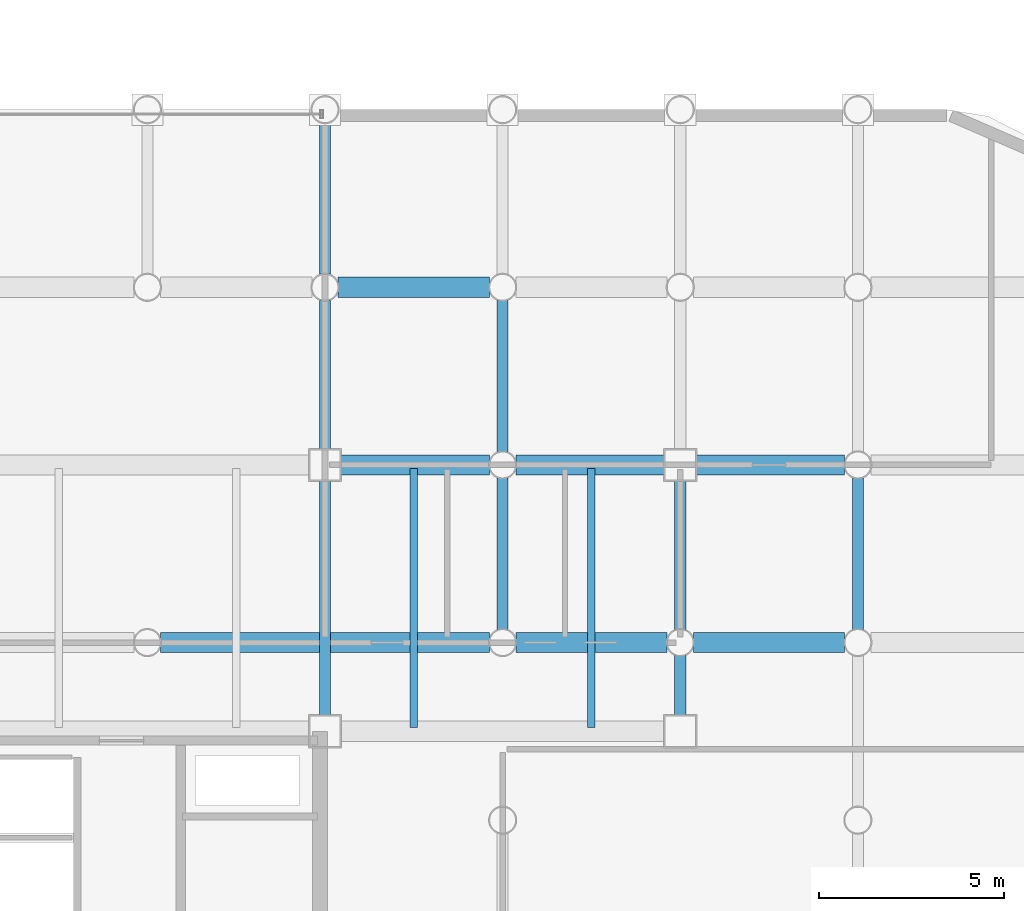
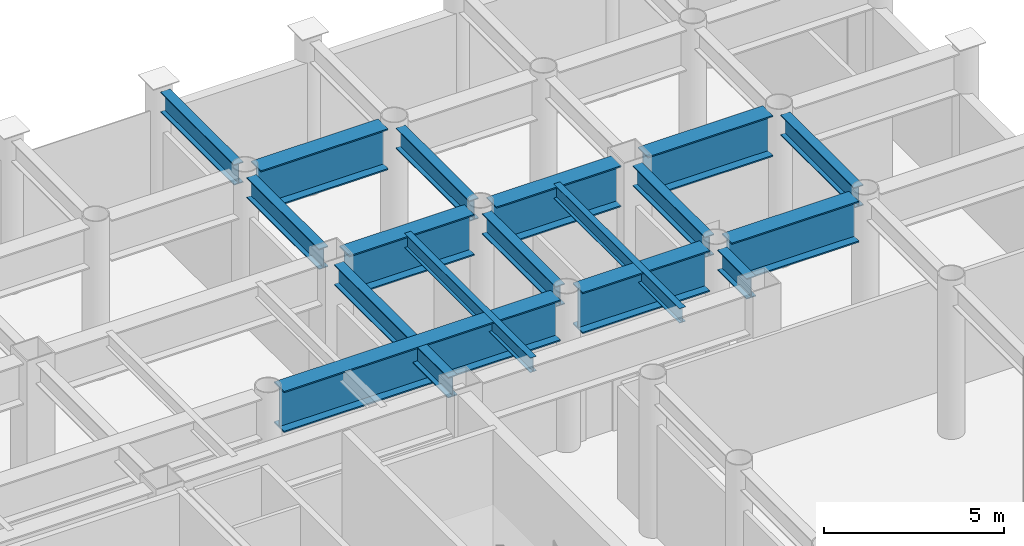
# One storey, part 11 of 20: 17 beams.
"""IFC4 building model written with IfcOpenShell, lengths in metres."""

from ifc_helpers import new_model, si_unit, direction, frame, origin, origin_2d, place, context, subcontext, project, spatial, i_section, extrude, material, material_profile, profile_set, type_object, element, save


model = new_model("IFC4")

# Units and contexts
model_context = context("Model", 3, precision=1e-05, world=origin(), true_north=direction((0.0, 1.0)))
body_context = subcontext(model_context, "Body", "Model", "MODEL_VIEW")
ifc_project = project(units=[si_unit("LENGTHUNIT", "METRE"), si_unit("AREAUNIT", "SQUARE_METRE"), si_unit("VOLUMEUNIT", "CUBIC_METRE"), si_unit("PLANEANGLEUNIT", "RADIAN"), si_unit("MASSUNIT", "GRAM", prefix="KILO")], contexts=[model_context])

# Site, building, storey
site_placement = place(None, origin())
site = spatial("IfcSite", under=ifc_project, at=site_placement, CompositionType="ELEMENT")
building_placement = place(site_placement, origin())
building = spatial("IfcBuilding", under=site, at=building_placement, Name="Kallvorn Hotel Tower", CompositionType="ELEMENT")
storey_placement = place(building_placement, frame((0.0, 0.0, 24.60009765625)))
storey = spatial("IfcBuildingStorey", under=building, at=storey_placement, Name="L04", CompositionType="ELEMENT", Elevation=24.60009765625)

# Beams
ifc_material_1 = material(Name="Structural steel S355JR", Category="steel")
ifc_material_profile_1 = material_profile(ifc_material_1, i_section(OverallWidth=0.300048828125, OverallDepth=0.699951171875, WebThickness=0.01708984375, FlangeThickness=0.031982421875, at=origin_2d()), Name="HE 700 B")
ifc_profile_set_1 = profile_set([ifc_material_profile_1], Name="Structural steel S355JR")
beam_type_1 = type_object("IfcBeamType", Name="BM_HE700B", PredefinedType="BEAM", material=ifc_profile_set_1)
beam_1_placement = place(storey_placement, frame((14.39990234375, 7.625, 4.869873046875), z_axis=(0.0, 1.0, 0.0), x_axis=(-1.0, 0.0, 0.0)))
element("IfcBeam", 1, at=beam_1_placement, inside=storey, type_object=beam_type_1, Name="L05 Primary Y-Girder 149", PredefinedType="BEAM", context=body_context, shape_type="SweptSolid", body=[
    extrude(i_section(OverallWidth=0.300048828125, OverallDepth=0.699951171875, WebThickness=0.01708984375, FlangeThickness=0.031982421875, at=origin_2d()), origin(), (0.0, 0.0, 1.0), 6.35009765625),
])
beam_2_placement = place(storey_placement, frame((14.39990234375, 14.824951171875, 4.869873046875), z_axis=(0.0, 1.0, 0.0), x_axis=(-1.0, 0.0, 0.0)))
element("IfcBeam", 2, at=beam_2_placement, inside=storey, type_object=beam_type_1, Name="L05 Primary Y-Girder 150", PredefinedType="BEAM", context=body_context, shape_type="SweptSolid", body=[
    extrude(i_section(OverallWidth=0.300048828125, OverallDepth=0.699951171875, WebThickness=0.01708984375, FlangeThickness=0.031982421875, at=origin_2d()), origin(), (0.0, 0.0, 1.0), 4.01904296875),
])
beam_3_placement = place(storey_placement, frame((14.39990234375, 19.555908203125, 4.869873046875), z_axis=(0.0, 1.0, 0.0), x_axis=(-1.0, 0.0, 0.0)))
element("IfcBeam", 3, at=beam_3_placement, inside=storey, type_object=beam_type_1, Name="L05 Primary Y-Girder 151", PredefinedType="BEAM", context=body_context, shape_type="SweptSolid", body=[
    extrude(i_section(OverallWidth=0.300048828125, OverallDepth=0.699951171875, WebThickness=0.01708984375, FlangeThickness=0.031982421875, at=origin_2d()), origin(), (0.0, 0.0, 1.0), 4.088134765625),
])
for number, where, z_axis, x_axis, name in (
    (4, (19.199951171875, 9.9560546875, 4.869873046875), (0.0, 1.0, 0.0), (-1.0, 0.0, 0.0), "L05 Primary Y-Girder 159"),
    (5, (19.199951171875, 14.756103515625, 4.869873046875), (0.0, 1.0, 0.0), (-1.0, 0.0, 0.0), "L05 Primary Y-Girder 160"),
):
    element("IfcBeam", number, at=place(storey_placement, frame(where, z_axis=z_axis, x_axis=x_axis)), inside=storey, type_object=beam_type_1, Name=name, PredefinedType="BEAM", context=body_context, shape_type="SweptSolid", body=[
        extrude(i_section(OverallWidth=0.300048828125, OverallDepth=0.699951171875, WebThickness=0.01708984375, FlangeThickness=0.031982421875, at=origin_2d()), origin(), (0.0, 0.0, 1.0), 4.087890625),
    ])
beam_4_placement = place(storey_placement, frame((24.0, 7.625, 4.869873046875), z_axis=(0.0, 1.0, 0.0), x_axis=(-1.0, 0.0, 0.0)))
element("IfcBeam", 6, at=beam_4_placement, inside=storey, type_object=beam_type_1, Name="L05 Primary Y-Girder 166", PredefinedType="BEAM", context=body_context, shape_type="SweptSolid", body=[
    extrude(i_section(OverallWidth=0.300048828125, OverallDepth=0.699951171875, WebThickness=0.01708984375, FlangeThickness=0.031982421875, at=origin_2d()), origin(), (0.0, 0.0, 1.0), 1.618896484375),
])
beam_5_placement = place(storey_placement, frame((24.0, 9.9560546875, 4.869873046875), z_axis=(0.0, 1.0, 0.0), x_axis=(-1.0, 0.0, 0.0)))
element("IfcBeam", 7, at=beam_5_placement, inside=storey, type_object=beam_type_1, Name="L05 Primary Y-Girder 167", PredefinedType="BEAM", context=body_context, shape_type="SweptSolid", body=[
    extrude(i_section(OverallWidth=0.300048828125, OverallDepth=0.699951171875, WebThickness=0.01708984375, FlangeThickness=0.031982421875, at=origin_2d()), origin(), (0.0, 0.0, 1.0), 4.01904296875),
])
beam_6_placement = place(storey_placement, frame((28.800048828125, 9.9560546875, 4.869873046875), z_axis=(0.0, 1.0, 0.0), x_axis=(-1.0, 0.0, 0.0)))
element("IfcBeam", 8, at=beam_6_placement, inside=storey, type_object=beam_type_1, Name="L05 Primary Y-Girder 177", PredefinedType="BEAM", context=body_context, shape_type="SweptSolid", body=[
    extrude(i_section(OverallWidth=0.300048828125, OverallDepth=0.699951171875, WebThickness=0.01708984375, FlangeThickness=0.031982421875, at=origin_2d()), origin(), (0.0, 0.0, 1.0), 4.087890625),
])
ifc_material_2 = material(Name="Structural steel S355JR", Category="steel")
ifc_material_profile_2 = material_profile(ifc_material_2, i_section(OverallWidth=0.199951171875, OverallDepth=0.5, WebThickness=0.01025390625, FlangeThickness=0.01611328125, at=origin_2d()), Name="IPE 500")
ifc_profile_set_2 = profile_set([ifc_material_profile_2], Name="Structural steel S355JR")
beam_type_2 = type_object("IfcBeamType", Name="BM_IPE500", PredefinedType="JOIST", material=ifc_profile_set_2)
for number, where, z_axis, x_axis, name in (
    (9, (16.800048828125, 7.300048828125, 4.969970703125), (0.0, 1.0, 0.0), (-1.0, 0.0, 0.0), "L05 Secondary Composite Joist 236"),
    (10, (21.60009765625, 7.300048828125, 4.969970703125), (0.0, 1.0, 0.0), (-1.0, 0.0, 0.0), "L05 Secondary Composite Joist 238"),
):
    element("IfcBeam", number, at=place(storey_placement, frame(where, z_axis=z_axis, x_axis=x_axis)), inside=storey, type_object=beam_type_2, Name=name, PredefinedType="JOIST", context=body_context, shape_type="SweptSolid", body=[
        extrude(i_section(OverallWidth=0.199951171875, OverallDepth=0.5, WebThickness=0.01025390625, FlangeThickness=0.01611328125, at=origin_2d()), origin(), (0.0, 0.0, 1.0), 7.0),
    ])
ifc_material_3 = material(Name="Structural steel S355JR", Category="steel")
ifc_material_profile_3 = material_profile(ifc_material_3, i_section(OverallWidth=0.550048828125, OverallDepth=1.39990234375, WebThickness=0.02490234375, FlangeThickness=0.044921875, at=origin_2d()), Name="PG 1400x550x25x45")
ifc_profile_set_3 = profile_set([ifc_material_profile_3], Name="Structural steel S355JR")
beam_type_3 = type_object("IfcBeamType", Name="BM_PG_1400", PredefinedType="BEAM", material=ifc_profile_set_3)
beam_7_placement = place(storey_placement, frame((9.9560546875, 9.60009765625, 4.52001953125), z_axis=(1.0, 0.0, 0.0), x_axis=(0.0, 1.0, 0.0)))
element("IfcBeam", 11, at=beam_7_placement, inside=storey, type_object=beam_type_3, Name="L05 Primary X-Girder 59", PredefinedType="BEAM", context=body_context, shape_type="SweptSolid", body=[
    extrude(i_section(OverallWidth=0.550048828125, OverallDepth=1.39990234375, WebThickness=0.02490234375, FlangeThickness=0.044921875, at=origin_2d()), origin(), (0.0, 0.0, 1.0), 8.887939453125),
])
for number, where, z_axis, x_axis, name in (
    (12, (19.555908203125, 9.60009765625, 4.52001953125), (1.0, 0.0, 0.0), (0.0, 1.0, 0.0), "L05 Primary X-Girder 60"),
    (13, (24.35595703125, 9.60009765625, 4.52001953125), (1.0, 0.0, 0.0), (0.0, 1.0, 0.0), "L05 Primary X-Girder 61"),
):
    element("IfcBeam", number, at=place(storey_placement, frame(where, z_axis=z_axis, x_axis=x_axis)), inside=storey, type_object=beam_type_3, Name=name, PredefinedType="BEAM", context=body_context, shape_type="SweptSolid", body=[
        extrude(i_section(OverallWidth=0.550048828125, OverallDepth=1.39990234375, WebThickness=0.02490234375, FlangeThickness=0.044921875, at=origin_2d()), origin(), (0.0, 0.0, 1.0), 4.088134765625),
    ])
for number, where, z_axis, x_axis, name in (
    (14, (14.824951171875, 14.39990234375, 4.52001953125), (1.0, 0.0, 0.0), (0.0, 1.0, 0.0), "L05 Primary X-Girder 70"),
    (15, (19.555908203125, 14.39990234375, 4.52001953125), (1.0, 0.0, 0.0), (0.0, 1.0, 0.0), "L05 Primary X-Girder 71"),
    (16, (24.425048828125, 14.39990234375, 4.52001953125), (1.0, 0.0, 0.0), (0.0, 1.0, 0.0), "L05 Primary X-Girder 72"),
):
    element("IfcBeam", number, at=place(storey_placement, frame(where, z_axis=z_axis, x_axis=x_axis)), inside=storey, type_object=beam_type_3, Name=name, PredefinedType="BEAM", context=body_context, shape_type="SweptSolid", body=[
        extrude(i_section(OverallWidth=0.550048828125, OverallDepth=1.39990234375, WebThickness=0.02490234375, FlangeThickness=0.044921875, at=origin_2d()), origin(), (0.0, 0.0, 1.0), 4.01904296875),
    ])
beam_8_placement = place(storey_placement, frame((14.756103515625, 19.199951171875, 4.52001953125), z_axis=(1.0, 0.0, 0.0), x_axis=(0.0, 1.0, 0.0)))
element("IfcBeam", 17, at=beam_8_placement, inside=storey, type_object=beam_type_3, Name="L05 Primary X-Girder 84", PredefinedType="BEAM", context=body_context, shape_type="SweptSolid", body=[
    extrude(i_section(OverallWidth=0.550048828125, OverallDepth=1.39990234375, WebThickness=0.02490234375, FlangeThickness=0.044921875, at=origin_2d()), origin(), (0.0, 0.0, 1.0), 4.087890625),
])

save(model, "model.ifc")
